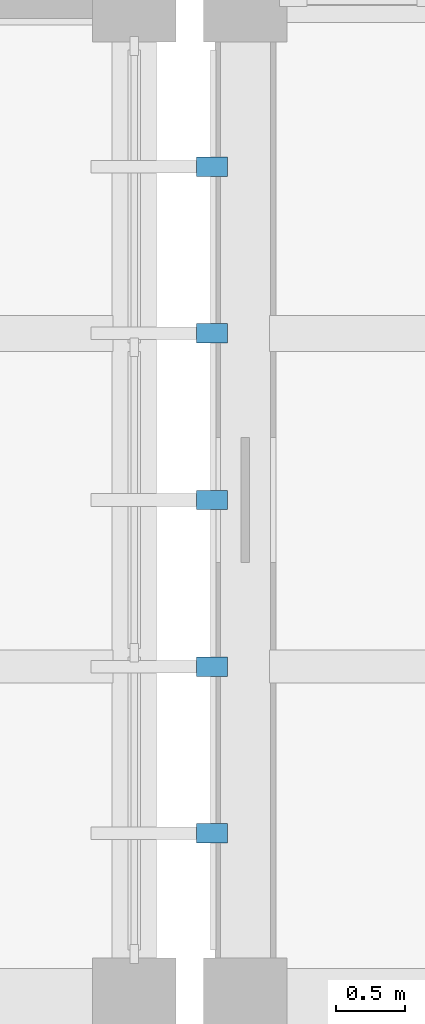
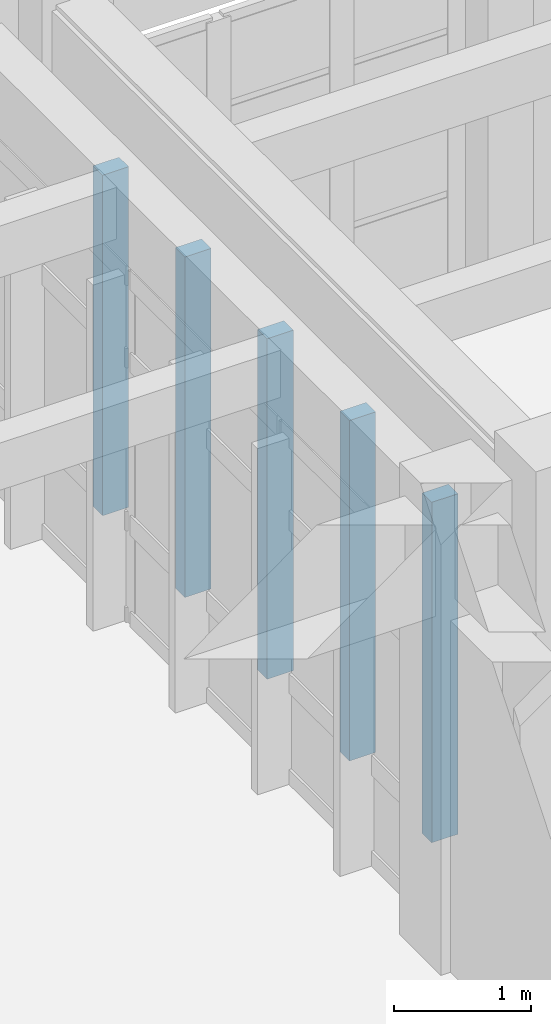
# One storey, part 85 of 100: 5 discrete accessories.
"""IFC4 building model written with IfcOpenShell, lengths in metres."""

from ifc_helpers import new_model, si_unit, direction, frame, origin, origin_2d, place, context, subcontext, project, spatial, rectangle, extrude, material, type_object, element, save


model = new_model("IFC4")

# Units and contexts
model_context = context("Model", 3, precision=1e-05, world=origin(), true_north=direction((0.0, 1.0)))
body_context = subcontext(model_context, "Body", "Model", "MODEL_VIEW")
ifc_project = project(units=[si_unit("LENGTHUNIT", "METRE"), si_unit("AREAUNIT", "SQUARE_METRE"), si_unit("VOLUMEUNIT", "CUBIC_METRE"), si_unit("PLANEANGLEUNIT", "RADIAN"), si_unit("MASSUNIT", "GRAM", prefix="KILO")], contexts=[model_context])

# Site, building, storey
site_placement = place(None, origin())
site = spatial("IfcSite", under=ifc_project, at=site_placement, CompositionType="ELEMENT")
building_placement = place(site_placement, origin())
building = spatial("IfcBuilding", under=site, at=building_placement, Name="Steenspoor Specialist Clinic", CompositionType="ELEMENT")
storey_placement = place(building_placement, frame((0.0, 0.0, 9.0)))
storey = spatial("IfcBuildingStorey", under=building, at=storey_placement, Name="L02", CompositionType="ELEMENT", Elevation=9.0)

# Discrete accessories
ifc_material = material(Name="Galvanised steel mounting bracket", Category="steel")
discrete_accessory_type = type_object("IfcDiscreteAccessoryType", Name="ACC-BRACKET-FIN", PredefinedType="BRACKET", material=ifc_material)
for number, where, z_axis, x_axis, name in (
    (1, (52.159912109375, 102.35009765625, 0.0498046875), (0.0, 0.0, 1.0), (-1.0, 0.0, 0.0), "Fin Mounting Bracket 21"),
    (2, (52.159912109375, 103.550048828125, 0.0498046875), (0.0, 0.0, 1.0), (-1.0, 0.0, 0.0), "Fin Mounting Bracket 22"),
    (3, (52.159912109375, 104.75, 0.0498046875), (0.0, 0.0, 1.0), (-1.0, 0.0, 0.0), "Fin Mounting Bracket 23"),
    (4, (52.159912109375, 105.949951171875, 0.0498046875), (0.0, 0.0, 1.0), (-1.0, 0.0, 0.0), "Fin Mounting Bracket 24"),
    (5, (52.159912109375, 107.14990234375, 0.0498046875), (0.0, 0.0, 1.0), (-1.0, 0.0, 0.0), "Fin Mounting Bracket 25"),
):
    element("IfcDiscreteAccessory", number, at=place(storey_placement, frame(where, z_axis=z_axis, x_axis=x_axis)), inside=storey, type_object=discrete_accessory_type, Name=name, PredefinedType="BRACKET", context=body_context, shape_type="SweptSolid", body=[
        extrude(rectangle(XDim=0.219970703125, YDim=0.139892578125, at=origin_2d()), origin(), (0.0, 0.0, 1.0), 3.030029296875),
    ])

save(model, "model.ifc")
